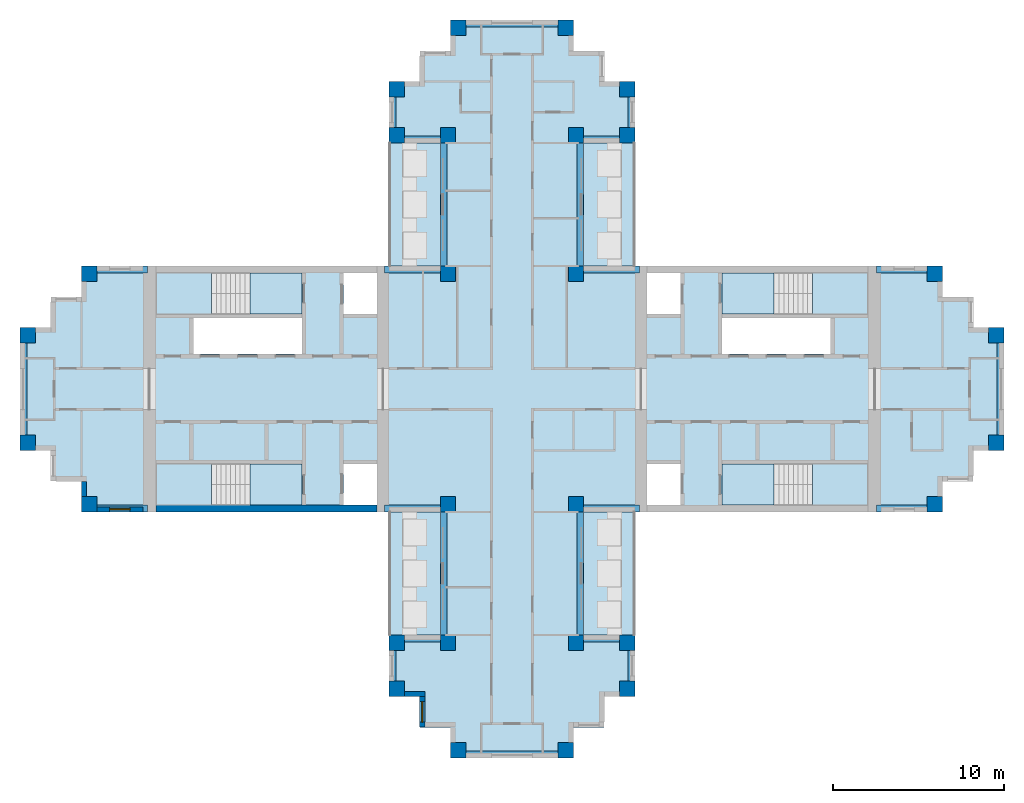
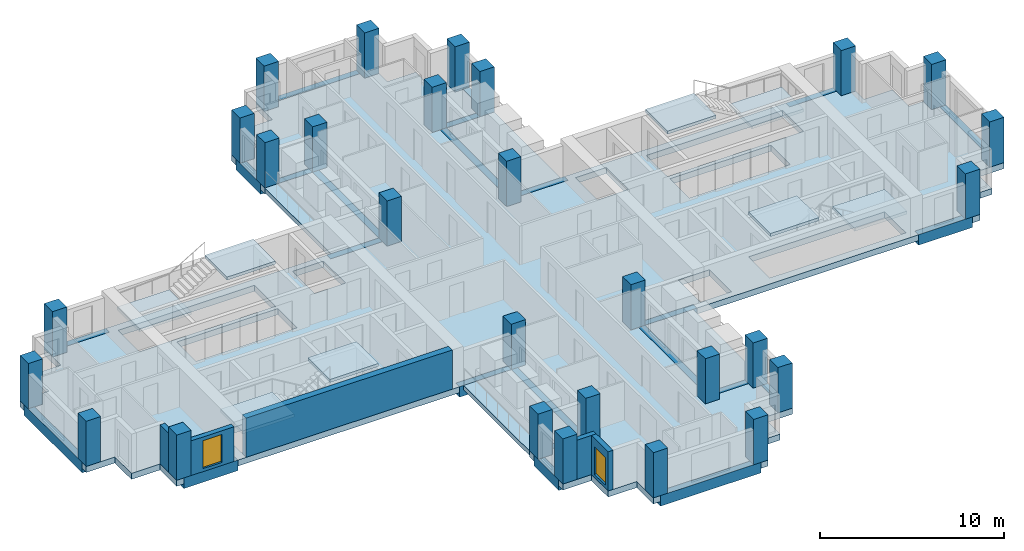
# One storey, part 1 of 10: 28 columns, 24 beams, 13 slabs, 5 walls, 2 windows, 2 openings, 4 elements without a shape of their own.
"""IFC4 building model written with IfcOpenShell, lengths in metres."""

from ifc_helpers import new_model, si_unit, direction, frame, frame_2d, origin, origin_2d, place, context, subcontext, project, spatial, polyline, rectangle, outline, extrude, material, layer, layer_set, material_profile, profile_set, type_object, element, fill, aggregate, save


model = new_model("IFC4")

# Units and contexts
model_context = context("Model", 3, precision=1e-05, world=origin(), true_north=direction((0.0, 1.0)))
body_context = subcontext(model_context, "Body", "Model", "MODEL_VIEW")
ifc_project = project(units=[si_unit("LENGTHUNIT", "METRE"), si_unit("AREAUNIT", "SQUARE_METRE"), si_unit("VOLUMEUNIT", "CUBIC_METRE"), si_unit("PLANEANGLEUNIT", "RADIAN"), si_unit("MASSUNIT", "GRAM", prefix="KILO")], contexts=[model_context])

# Site, building, storey
site_placement = place(None, origin())
site = spatial("IfcSite", under=ifc_project, at=site_placement, CompositionType="ELEMENT")
building_placement = place(site_placement, origin())
building = spatial("IfcBuilding", under=site, at=building_placement, Name="Fustian Cross Tower", CompositionType="ELEMENT")
storey_placement = place(building_placement, frame((0.0, 0.0, 207.89990234375)))
storey = spatial("IfcBuildingStorey", under=building, at=storey_placement, Name="L65", CompositionType="ELEMENT", Elevation=207.89990234375)

# Columns
ifc_material_1 = material(Name="Concrete C40/50", Category="concrete")
ifc_material_profile_1 = material_profile(ifc_material_1, rectangle(XDim=0.89990234375, YDim=0.89990234375, at=origin_2d()), Name="RC 900x900")
ifc_profile_set_1 = profile_set([ifc_material_profile_1], Name="Concrete C40/50")
column_type = type_object("IfcColumnType", Name="COLUMN RC 900x900 C40/50", PredefinedType="COLUMN", material=ifc_profile_set_1)
for number, where, z_axis, x_axis, name in (
    (1, (-28.35009765625, -3.14990234375, 0.0), (0.0, 0.0, 1.0), (1.0, 0.0, 0.0), "COLUMN 008"),
    (2, (-28.35009765625, 3.14990234375, 0.0), (0.0, 0.0, 1.0), (1.0, 0.0, 0.0), "COLUMN 009"),
    (3, (-24.75, -6.75, 0.0), (0.0, 0.0, 1.0), (1.0, 0.0, 0.0), "COLUMN 011"),
    (4, (-24.75, 6.75, 0.0), (0.0, 0.0, 1.0), (1.0, 0.0, 0.0), "COLUMN 012"),
    (5, (-6.75, -17.550048828125, 0.0), (0.0, 0.0, 1.0), (1.0, 0.0, 0.0), "COLUMN 017"),
    (6, (-6.75, -14.85009765625, 0.0), (0.0, 0.0, 1.0), (1.0, 0.0, 0.0), "COLUMN 018"),
    (7, (-6.75, 14.85009765625, 0.0), (0.0, 0.0, 1.0), (1.0, 0.0, 0.0), "COLUMN 019"),
    (8, (-6.75, 17.550048828125, 0.0), (0.0, 0.0, 1.0), (1.0, 0.0, 0.0), "COLUMN 020"),
    (9, (-3.75, -14.85009765625, 0.0), (0.0, 0.0, 1.0), (1.0, 0.0, 0.0), "COLUMN 025"),
    (10, (-3.75, -6.75, 0.0), (0.0, 0.0, 1.0), (1.0, 0.0, 0.0), "COLUMN 026"),
    (11, (-3.75, 6.75, 0.0), (0.0, 0.0, 1.0), (1.0, 0.0, 0.0), "COLUMN 027"),
    (12, (-3.75, 14.85009765625, 0.0), (0.0, 0.0, 1.0), (1.0, 0.0, 0.0), "COLUMN 028"),
    (13, (-3.14990234375, -21.14990234375, 0.0), (0.0, 0.0, 1.0), (1.0, 0.0, 0.0), "COLUMN 030"),
    (14, (-3.14990234375, 21.14990234375, 0.0), (0.0, 0.0, 1.0), (1.0, 0.0, 0.0), "COLUMN 031"),
    (15, (3.14990234375, -21.14990234375, 0.0), (0.0, 0.0, 1.0), (1.0, 0.0, 0.0), "COLUMN 034"),
    (16, (3.14990234375, 21.14990234375, 0.0), (0.0, 0.0, 1.0), (1.0, 0.0, 0.0), "COLUMN 035"),
    (17, (3.75, -14.85009765625, 0.0), (0.0, 0.0, 1.0), (1.0, 0.0, 0.0), "COLUMN 037"),
    (18, (3.75, -6.75, 0.0), (0.0, 0.0, 1.0), (1.0, 0.0, 0.0), "COLUMN 038"),
    (19, (3.75, 6.75, 0.0), (0.0, 0.0, 1.0), (1.0, 0.0, 0.0), "COLUMN 039"),
    (20, (3.75, 14.85009765625, 0.0), (0.0, 0.0, 1.0), (1.0, 0.0, 0.0), "COLUMN 040"),
    (21, (6.75, -17.550048828125, 0.0), (0.0, 0.0, 1.0), (1.0, 0.0, 0.0), "COLUMN 045"),
    (22, (6.75, -14.85009765625, 0.0), (0.0, 0.0, 1.0), (1.0, 0.0, 0.0), "COLUMN 046"),
    (23, (6.75, 14.85009765625, 0.0), (0.0, 0.0, 1.0), (1.0, 0.0, 0.0), "COLUMN 047"),
    (24, (6.75, 17.550048828125, 0.0), (0.0, 0.0, 1.0), (1.0, 0.0, 0.0), "COLUMN 048"),
    (25, (24.75, -6.75, 0.0), (0.0, 0.0, 1.0), (1.0, 0.0, 0.0), "COLUMN 053"),
    (26, (24.75, 6.75, 0.0), (0.0, 0.0, 1.0), (1.0, 0.0, 0.0), "COLUMN 054"),
    (27, (28.35009765625, -3.14990234375, 0.0), (0.0, 0.0, 1.0), (1.0, 0.0, 0.0), "COLUMN 056"),
    (28, (28.35009765625, 3.14990234375, 0.0), (0.0, 0.0, 1.0), (1.0, 0.0, 0.0), "COLUMN 057"),
):
    element("IfcColumn", number, at=place(storey_placement, frame(where, z_axis=z_axis, x_axis=x_axis)), inside=storey, type_object=column_type, Name=name, PredefinedType="COLUMN", context=body_context, shape_type="SweptSolid", body=[
        extrude(rectangle(XDim=0.89990234375, YDim=0.89990234375, at=origin_2d()), origin(), (0.0, 0.0, 1.0), 3.0),
    ])

# Beams
ifc_material_2 = material(Name="Concrete C50/60", Category="concrete")
ifc_material_profile_2 = material_profile(ifc_material_2, rectangle(XDim=0.39990234375, YDim=0.699951171875, at=origin_2d()), Name="RC 400x700")
ifc_profile_set_2 = profile_set([ifc_material_profile_2], Name="Concrete C50/60")
beam_type = type_object("IfcBeamType", Name="EDGE BEAM RC 400x700 C50/60", PredefinedType="SPANDREL", material=ifc_profile_set_2)
beam_1_placement = place(storey_placement, frame((21.35009765625, -7.0, -0.349853515625), z_axis=(1.0, 0.0, 0.0), x_axis=(0.0, 1.0, 0.0)))
element("IfcBeam", 29, at=beam_1_placement, inside=storey, type_object=beam_type, Name="EDGE BEAM L65-01", PredefinedType="SPANDREL", context=body_context, shape_type="SweptSolid", body=[
    extrude(rectangle(XDim=0.39990234375, YDim=0.699951171875, at=origin_2d()), origin(), (0.0, 0.0, 1.0), 3.39990234375),
])
beam_2_placement = place(storey_placement, frame((28.60009765625, -3.14990234375, -0.349853515625), z_axis=(0.0, 1.0, 0.0), x_axis=(-1.0, 0.0, 0.0)))
element("IfcBeam", 30, at=beam_2_placement, inside=storey, type_object=beam_type, Name="EDGE BEAM L65-02", PredefinedType="SPANDREL", context=body_context, shape_type="SweptSolid", body=[
    extrude(rectangle(XDim=0.39990234375, YDim=0.699951171875, at=origin_2d()), origin(), (0.0, 0.0, 1.0), 6.2998046875),
])
beam_3_placement = place(storey_placement, frame((24.75, 7.0, -0.349853515625), z_axis=(-1.0, 0.0, 0.0), x_axis=(0.0, -1.0, 0.0)))
element("IfcBeam", 31, at=beam_3_placement, inside=storey, type_object=beam_type, Name="EDGE BEAM L65-03", PredefinedType="SPANDREL", context=body_context, shape_type="SweptSolid", body=[
    extrude(rectangle(XDim=0.39990234375, YDim=0.699951171875, at=origin_2d()), origin(), (0.0, 0.0, 1.0), 3.39990234375),
])
beam_4_placement = place(storey_placement, frame((7.449951171875, 7.0, -0.349853515625), z_axis=(-1.0, 0.0, 0.0), x_axis=(0.0, -1.0, 0.0)))
element("IfcBeam", 32, at=beam_4_placement, inside=storey, type_object=beam_type, Name="EDGE BEAM L65-04", PredefinedType="SPANDREL", context=body_context, shape_type="SweptSolid", body=[
    extrude(rectangle(XDim=0.39990234375, YDim=0.699951171875, at=origin_2d()), origin(), (0.0, 0.0, 1.0), 3.699951171875),
])
beam_5_placement = place(storey_placement, frame((4.0, 6.75, -0.349853515625), z_axis=(0.0, 1.0, 0.0), x_axis=(-1.0, 0.0, 0.0)))
element("IfcBeam", 33, at=beam_5_placement, inside=storey, type_object=beam_type, Name="EDGE BEAM L65-05", PredefinedType="SPANDREL", context=body_context, shape_type="SweptSolid", body=[
    extrude(rectangle(XDim=0.39990234375, YDim=0.699951171875, at=origin_2d()), origin(), (0.0, 0.0, 1.0), 8.10009765625),
])
beam_6_placement = place(storey_placement, frame((3.75, 14.60009765625, -0.349853515625), z_axis=(1.0, 0.0, 0.0), x_axis=(0.0, 1.0, 0.0)))
element("IfcBeam", 34, at=beam_6_placement, inside=storey, type_object=beam_type, Name="EDGE BEAM L65-06", PredefinedType="SPANDREL", context=body_context, shape_type="SweptSolid", body=[
    extrude(rectangle(XDim=0.39990234375, YDim=0.699951171875, at=origin_2d()), origin(), (0.0, 0.0, 1.0), 3.0),
])
beam_7_placement = place(storey_placement, frame((7.0, 14.85009765625, -0.349853515625), z_axis=(0.0, 1.0, 0.0), x_axis=(-1.0, 0.0, 0.0)))
element("IfcBeam", 35, at=beam_7_placement, inside=storey, type_object=beam_type, Name="EDGE BEAM L65-07", PredefinedType="SPANDREL", context=body_context, shape_type="SweptSolid", body=[
    extrude(rectangle(XDim=0.39990234375, YDim=0.699951171875, at=origin_2d()), origin(), (0.0, 0.0, 1.0), 2.699951171875),
])
beam_8_placement = place(storey_placement, frame((3.14990234375, 21.39990234375, -0.349853515625), z_axis=(-1.0, 0.0, 0.0), x_axis=(0.0, -1.0, 0.0)))
element("IfcBeam", 36, at=beam_8_placement, inside=storey, type_object=beam_type, Name="EDGE BEAM L65-08", PredefinedType="SPANDREL", context=body_context, shape_type="SweptSolid", body=[
    extrude(rectangle(XDim=0.39990234375, YDim=0.699951171875, at=origin_2d()), origin(), (0.0, 0.0, 1.0), 6.2998046875),
])
beam_9_placement = place(storey_placement, frame((-7.0, 17.550048828125, -0.349853515625), z_axis=(0.0, -1.0, 0.0), x_axis=(1.0, 0.0, 0.0)))
element("IfcBeam", 37, at=beam_9_placement, inside=storey, type_object=beam_type, Name="EDGE BEAM L65-09", PredefinedType="SPANDREL", context=body_context, shape_type="SweptSolid", body=[
    extrude(rectangle(XDim=0.39990234375, YDim=0.699951171875, at=origin_2d()), origin(), (0.0, 0.0, 1.0), 2.699951171875),
])
beam_10_placement = place(storey_placement, frame((-6.75, 14.60009765625, -0.349853515625), z_axis=(1.0, 0.0, 0.0), x_axis=(0.0, 1.0, 0.0)))
element("IfcBeam", 38, at=beam_10_placement, inside=storey, type_object=beam_type, Name="EDGE BEAM L65-10", PredefinedType="SPANDREL", context=body_context, shape_type="SweptSolid", body=[
    extrude(rectangle(XDim=0.39990234375, YDim=0.699951171875, at=origin_2d()), origin(), (0.0, 0.0, 1.0), 3.0),
])
beam_11_placement = place(storey_placement, frame((-4.0, 14.85009765625, -0.349853515625), z_axis=(0.0, -1.0, 0.0), x_axis=(1.0, 0.0, 0.0)))
element("IfcBeam", 39, at=beam_11_placement, inside=storey, type_object=beam_type, Name="EDGE BEAM L65-11", PredefinedType="SPANDREL", context=body_context, shape_type="SweptSolid", body=[
    extrude(rectangle(XDim=0.39990234375, YDim=0.699951171875, at=origin_2d()), origin(), (0.0, 0.0, 1.0), 8.10009765625),
])
beam_12_placement = place(storey_placement, frame((-3.75, 7.0, -0.349853515625), z_axis=(-1.0, 0.0, 0.0), x_axis=(0.0, -1.0, 0.0)))
element("IfcBeam", 40, at=beam_12_placement, inside=storey, type_object=beam_type, Name="EDGE BEAM L65-12", PredefinedType="SPANDREL", context=body_context, shape_type="SweptSolid", body=[
    extrude(rectangle(XDim=0.39990234375, YDim=0.699951171875, at=origin_2d()), origin(), (0.0, 0.0, 1.0), 3.699951171875),
])
beam_13_placement = place(storey_placement, frame((-21.35009765625, 7.0, -0.349853515625), z_axis=(-1.0, 0.0, 0.0), x_axis=(0.0, -1.0, 0.0)))
element("IfcBeam", 41, at=beam_13_placement, inside=storey, type_object=beam_type, Name="EDGE BEAM L65-13", PredefinedType="SPANDREL", context=body_context, shape_type="SweptSolid", body=[
    extrude(rectangle(XDim=0.39990234375, YDim=0.699951171875, at=origin_2d()), origin(), (0.0, 0.0, 1.0), 3.39990234375),
])
beam_14_placement = place(storey_placement, frame((-28.60009765625, 3.14990234375, -0.349853515625), z_axis=(0.0, -1.0, 0.0), x_axis=(1.0, 0.0, 0.0)))
element("IfcBeam", 42, at=beam_14_placement, inside=storey, type_object=beam_type, Name="EDGE BEAM L65-14", PredefinedType="SPANDREL", context=body_context, shape_type="SweptSolid", body=[
    extrude(rectangle(XDim=0.39990234375, YDim=0.699951171875, at=origin_2d()), origin(), (0.0, 0.0, 1.0), 6.2998046875),
])
beam_15_placement = place(storey_placement, frame((-24.75, -7.0, -0.349853515625), z_axis=(1.0, 0.0, 0.0), x_axis=(0.0, 1.0, 0.0)))
element("IfcBeam", 43, at=beam_15_placement, inside=storey, type_object=beam_type, Name="EDGE BEAM L65-15", PredefinedType="SPANDREL", context=body_context, shape_type="SweptSolid", body=[
    extrude(rectangle(XDim=0.39990234375, YDim=0.699951171875, at=origin_2d()), origin(), (0.0, 0.0, 1.0), 3.39990234375),
])
beam_16_placement = place(storey_placement, frame((-7.449951171875, -7.0, -0.349853515625), z_axis=(1.0, 0.0, 0.0), x_axis=(0.0, 1.0, 0.0)))
element("IfcBeam", 44, at=beam_16_placement, inside=storey, type_object=beam_type, Name="EDGE BEAM L65-16", PredefinedType="SPANDREL", context=body_context, shape_type="SweptSolid", body=[
    extrude(rectangle(XDim=0.39990234375, YDim=0.699951171875, at=origin_2d()), origin(), (0.0, 0.0, 1.0), 3.699951171875),
])
beam_17_placement = place(storey_placement, frame((-4.0, -6.75, -0.349853515625), z_axis=(0.0, -1.0, 0.0), x_axis=(1.0, 0.0, 0.0)))
element("IfcBeam", 45, at=beam_17_placement, inside=storey, type_object=beam_type, Name="EDGE BEAM L65-17", PredefinedType="SPANDREL", context=body_context, shape_type="SweptSolid", body=[
    extrude(rectangle(XDim=0.39990234375, YDim=0.699951171875, at=origin_2d()), origin(), (0.0, 0.0, 1.0), 8.10009765625),
])
beam_18_placement = place(storey_placement, frame((-3.75, -14.60009765625, -0.349853515625), z_axis=(-1.0, 0.0, 0.0), x_axis=(0.0, -1.0, 0.0)))
element("IfcBeam", 46, at=beam_18_placement, inside=storey, type_object=beam_type, Name="EDGE BEAM L65-18", PredefinedType="SPANDREL", context=body_context, shape_type="SweptSolid", body=[
    extrude(rectangle(XDim=0.39990234375, YDim=0.699951171875, at=origin_2d()), origin(), (0.0, 0.0, 1.0), 3.0),
])
beam_19_placement = place(storey_placement, frame((-7.0, -14.85009765625, -0.349853515625), z_axis=(0.0, -1.0, 0.0), x_axis=(1.0, 0.0, 0.0)))
element("IfcBeam", 47, at=beam_19_placement, inside=storey, type_object=beam_type, Name="EDGE BEAM L65-19", PredefinedType="SPANDREL", context=body_context, shape_type="SweptSolid", body=[
    extrude(rectangle(XDim=0.39990234375, YDim=0.699951171875, at=origin_2d()), origin(), (0.0, 0.0, 1.0), 2.699951171875),
])
beam_20_placement = place(storey_placement, frame((-3.14990234375, -21.39990234375, -0.349853515625), z_axis=(1.0, 0.0, 0.0), x_axis=(0.0, 1.0, 0.0)))
element("IfcBeam", 48, at=beam_20_placement, inside=storey, type_object=beam_type, Name="EDGE BEAM L65-20", PredefinedType="SPANDREL", context=body_context, shape_type="SweptSolid", body=[
    extrude(rectangle(XDim=0.39990234375, YDim=0.699951171875, at=origin_2d()), origin(), (0.0, 0.0, 1.0), 6.2998046875),
])
beam_21_placement = place(storey_placement, frame((7.0, -17.550048828125, -0.349853515625), z_axis=(0.0, 1.0, 0.0), x_axis=(-1.0, 0.0, 0.0)))
element("IfcBeam", 49, at=beam_21_placement, inside=storey, type_object=beam_type, Name="EDGE BEAM L65-21", PredefinedType="SPANDREL", context=body_context, shape_type="SweptSolid", body=[
    extrude(rectangle(XDim=0.39990234375, YDim=0.699951171875, at=origin_2d()), origin(), (0.0, 0.0, 1.0), 2.699951171875),
])
beam_22_placement = place(storey_placement, frame((6.75, -14.60009765625, -0.349853515625), z_axis=(-1.0, 0.0, 0.0), x_axis=(0.0, -1.0, 0.0)))
element("IfcBeam", 50, at=beam_22_placement, inside=storey, type_object=beam_type, Name="EDGE BEAM L65-22", PredefinedType="SPANDREL", context=body_context, shape_type="SweptSolid", body=[
    extrude(rectangle(XDim=0.39990234375, YDim=0.699951171875, at=origin_2d()), origin(), (0.0, 0.0, 1.0), 3.0),
])
beam_23_placement = place(storey_placement, frame((4.0, -14.85009765625, -0.349853515625), z_axis=(0.0, 1.0, 0.0), x_axis=(-1.0, 0.0, 0.0)))
element("IfcBeam", 51, at=beam_23_placement, inside=storey, type_object=beam_type, Name="EDGE BEAM L65-23", PredefinedType="SPANDREL", context=body_context, shape_type="SweptSolid", body=[
    extrude(rectangle(XDim=0.39990234375, YDim=0.699951171875, at=origin_2d()), origin(), (0.0, 0.0, 1.0), 8.10009765625),
])
beam_24_placement = place(storey_placement, frame((3.75, -7.0, -0.349853515625), z_axis=(1.0, 0.0, 0.0), x_axis=(0.0, 1.0, 0.0)))
element("IfcBeam", 52, at=beam_24_placement, inside=storey, type_object=beam_type, Name="EDGE BEAM L65-24", PredefinedType="SPANDREL", context=body_context, shape_type="SweptSolid", body=[
    extrude(rectangle(XDim=0.39990234375, YDim=0.699951171875, at=origin_2d()), origin(), (0.0, 0.0, 1.0), 3.699951171875),
])

# Slabs
ifc_material_3 = material(Name="Concrete C40/50", Category="concrete")
ifc_layer_1 = layer(ifc_material_3, 0.300048828125)
ifc_layer_set_1 = layer_set([ifc_layer_1], Name="Concrete C40/50")
slab_type_1 = type_object("IfcSlabType", Name="BS1 BALCONY SLAB 300", PredefinedType="FLOOR", material=ifc_layer_set_1)
slab_1_placement = place(storey_placement, frame((0.0, 0.0, -0.2998046875)))
element("IfcSlab", 53, at=slab_1_placement, inside=storey, type_object=slab_type_1, Name="Balcony slab", PredefinedType="FLOOR", context=body_context, shape_type="SweptSolid", body=[
    extrude(outline(polyline([(4.199951171875, 7.199951171875), (7.199951171875, 7.199951171875), (7.199951171875, 14.39990234375), (4.199951171875, 14.39990234375), (4.199951171875, 7.199951171875)])), origin(), (0.0, 0.0, 1.0), 0.2998046875),
])
slab_2_placement = place(storey_placement, frame((0.0, 0.0, -0.2998046875)))
element("IfcSlab", 54, at=slab_2_placement, inside=storey, type_object=slab_type_1, Name="Balcony slab", PredefinedType="FLOOR", context=body_context, shape_type="SweptSolid", body=[
    extrude(outline(polyline([(-7.199951171875, 7.199951171875), (-4.199951171875, 7.199951171875), (-4.199951171875, 14.39990234375), (-7.199951171875, 14.39990234375), (-7.199951171875, 7.199951171875)])), origin(), (0.0, 0.0, 1.0), 0.2998046875),
])
slab_3_placement = place(storey_placement, frame((0.0, 0.0, -0.2998046875)))
element("IfcSlab", 55, at=slab_3_placement, inside=storey, type_object=slab_type_1, Name="Balcony slab", PredefinedType="FLOOR", context=body_context, shape_type="SweptSolid", body=[
    extrude(outline(polyline([(4.199951171875, -14.39990234375), (7.199951171875, -14.39990234375), (7.199951171875, -7.199951171875), (4.199951171875, -7.199951171875), (4.199951171875, -14.39990234375)])), origin(), (0.0, 0.0, 1.0), 0.2998046875),
])
slab_4_placement = place(storey_placement, frame((0.0, 0.0, -0.2998046875)))
element("IfcSlab", 56, at=slab_4_placement, inside=storey, type_object=slab_type_1, Name="Balcony slab", PredefinedType="FLOOR", context=body_context, shape_type="SweptSolid", body=[
    extrude(outline(polyline([(-7.199951171875, -14.39990234375), (-4.199951171875, -14.39990234375), (-4.199951171875, -7.199951171875), (-7.199951171875, -7.199951171875), (-7.199951171875, -14.39990234375)])), origin(), (0.0, 0.0, 1.0), 0.2998046875),
])
ifc_material_4 = material(Name="Concrete C40/50", Category="concrete")
ifc_layer_2 = layer(ifc_material_4, 0.39990234375)
ifc_layer_set_2 = layer_set([ifc_layer_2], Name="Concrete C40/50")
slab_type_2 = type_object("IfcSlabType", Name="FLAT SLAB 400", PredefinedType="FLOOR", material=ifc_layer_set_2)
slab_5_placement = place(storey_placement, frame((0.0, 0.0, -0.39990234375)))
element("IfcSlab", 57, at=slab_5_placement, inside=storey, type_object=slab_type_2, Name="FLOOR SLAB L65-1", PredefinedType="FLOOR", context=body_context, shape_type="SweptSolid", body=[
    extrude(outline(polyline([(-3.60009765625, -19.800048828125), (-5.39990234375, -19.800048828125), (-5.39990234375, -18.0), (-7.199951171875, -18.0), (-7.199951171875, -14.39990234375), (-4.199951171875, -14.39990234375), (-4.199951171875, -7.199951171875), (-25.199951171875, -7.199951171875), (-25.199951171875, -5.39990234375), (-27.0, -5.39990234375), (-27.0, -3.60009765625), (-28.800048828125, -3.60009765625), (-28.800048828125, 3.60009765625), (-27.0, 3.60009765625), (-27.0, 5.39990234375), (-25.199951171875, 5.39990234375), (-25.199951171875, 7.199951171875), (-4.199951171875, 7.199951171875), (-4.199951171875, 14.39990234375), (-7.199951171875, 14.39990234375), (-7.199951171875, 18.0), (-5.39990234375, 18.0), (-5.39990234375, 19.800048828125), (-3.60009765625, 19.800048828125), (-3.60009765625, 21.60009765625), (3.60009765625, 21.60009765625), (3.60009765625, 19.800048828125), (5.39990234375, 19.800048828125), (5.39990234375, 18.0), (7.199951171875, 18.0), (7.199951171875, 14.39990234375), (4.199951171875, 14.39990234375), (4.199951171875, 7.199951171875), (25.199951171875, 7.199951171875), (25.199951171875, 5.39990234375), (27.0, 5.39990234375), (27.0, 3.60009765625), (28.800048828125, 3.60009765625), (28.800048828125, -3.60009765625), (27.0, -3.60009765625), (27.0, -5.39990234375), (25.199951171875, -5.39990234375), (25.199951171875, -7.199951171875), (4.199951171875, -7.199951171875), (4.199951171875, -14.39990234375), (7.199951171875, -14.39990234375), (7.199951171875, -18.0), (5.39990234375, -18.0), (5.39990234375, -19.800048828125), (3.60009765625, -19.800048828125), (3.60009765625, -21.60009765625), (-3.60009765625, -21.60009765625), (-3.60009765625, -19.800048828125)]), holes=[polyline([(7.89990234375, 6.800048828125), (7.89990234375, 4.39990234375), (9.85009765625, 4.39990234375), (9.85009765625, 6.800048828125), (7.89990234375, 6.800048828125)]), polyline([(9.85009765625, -4.39990234375), (7.89990234375, -4.39990234375), (7.89990234375, -6.800048828125), (9.85009765625, -6.800048828125), (9.85009765625, -4.39990234375)]), polyline([(-7.89990234375, 4.39990234375), (-7.89990234375, 6.800048828125), (-9.85009765625, 6.800048828125), (-9.85009765625, 4.39990234375), (-7.89990234375, 4.39990234375)]), polyline([(-9.85009765625, -6.800048828125), (-7.89990234375, -6.800048828125), (-7.89990234375, -4.39990234375), (-9.85009765625, -4.39990234375), (-9.85009765625, -6.800048828125)]), polyline([(12.300048828125, 4.14990234375), (12.300048828125, 2.050048828125), (18.64990234375, 2.050048828125), (18.64990234375, 4.14990234375), (12.300048828125, 4.14990234375)]), polyline([(-12.300048828125, 4.14990234375), (-18.64990234375, 4.14990234375), (-18.64990234375, 2.050048828125), (-12.300048828125, 2.050048828125), (-12.300048828125, 4.14990234375)]), polyline([(20.85009765625, 4.39990234375), (20.85009765625, 6.699951171875), (12.300048828125, 6.699951171875), (12.300048828125, 4.39990234375), (20.85009765625, 4.39990234375)]), polyline([(12.300048828125, -6.699951171875), (20.85009765625, -6.699951171875), (20.85009765625, -4.39990234375), (12.300048828125, -4.39990234375), (12.300048828125, -6.699951171875)]), polyline([(-20.85009765625, 6.699951171875), (-20.85009765625, 4.39990234375), (-12.300048828125, 4.39990234375), (-12.300048828125, 6.699951171875), (-20.85009765625, 6.699951171875)]), polyline([(-12.300048828125, -4.39990234375), (-20.85009765625, -4.39990234375), (-20.85009765625, -6.699951171875), (-12.300048828125, -6.699951171875), (-12.300048828125, -4.39990234375)])]), origin(), (0.0, 0.0, 1.0), 0.39990234375),
])

# Stair, slabs
ifc_material_5 = material(Name="Concrete C50/60", Category="concrete")
stair_type = type_object("IfcStairType", Name="STAIR 1200 HALF TURN", PredefinedType="HALF_TURN_STAIR", material=ifc_material_5)
stair_1_placement = place(storey_placement, origin())
stair_1 = element("IfcStair", 58, at=stair_1_placement, inside=storey, type_object=stair_type, Name="Stair ST1", PredefinedType="HALF_TURN_STAIR")
ifc_material_6 = material(Name="Concrete C50/60", Category="concrete")
ifc_layer_3 = layer(ifc_material_6, 0.199951171875)
ifc_layer_set_3 = layer_set([ifc_layer_3], Name="Concrete C50/60")
slab_type_3 = type_object("IfcSlabType", Name="STAIR LANDING", PredefinedType="LANDING", material=ifc_layer_set_3)
slab_6_placement = place(storey_placement, frame((0.0, 0.0, 1.300048828125)))
slab_6 = element("IfcSlab", 59, at=slab_6_placement, type_object=slab_type_3, Name="ST1 landing 1", PredefinedType="LANDING", context=body_context, shape_type="SweptSolid", body=[
    extrude(outline(polyline([(17.590087890625, 4.39990234375), (20.85009765625, 4.39990234375), (20.85009765625, 6.800048828125), (17.590087890625, 6.800048828125), (17.590087890625, 4.39990234375)])), origin(), (0.0, 0.0, 1.0), 0.199951171875),
])
slab_7_placement = place(storey_placement, frame((0.0, 0.0, 2.800048828125)))
slab_7 = element("IfcSlab", 60, at=slab_7_placement, type_object=slab_type_3, Name="ST1 landing 2", PredefinedType="LANDING", context=body_context, shape_type="SweptSolid", body=[
    extrude(outline(polyline([(12.300048828125, 4.39990234375), (15.35009765625, 4.39990234375), (15.35009765625, 6.800048828125), (12.300048828125, 6.800048828125), (12.300048828125, 4.39990234375)])), origin(), (0.0, 0.0, 1.0), 0.199951171875),
])
aggregate(stair_1, [slab_6, slab_7])

stair_2_placement = place(storey_placement, origin())
stair_2 = element("IfcStair", 61, at=stair_2_placement, inside=storey, type_object=stair_type, Name="Stair ST2", PredefinedType="HALF_TURN_STAIR")
slab_8_placement = place(storey_placement, frame((0.0, 0.0, 1.300048828125)))
slab_8 = element("IfcSlab", 62, at=slab_8_placement, type_object=slab_type_3, Name="ST2 landing 1", PredefinedType="LANDING", context=body_context, shape_type="SweptSolid", body=[
    extrude(outline(polyline([(17.590087890625, -4.39990234375), (20.85009765625, -4.39990234375), (20.85009765625, -6.800048828125), (17.590087890625, -6.800048828125), (17.590087890625, -4.39990234375)])), origin(), (0.0, 0.0, 1.0), 0.199951171875),
])
slab_9_placement = place(storey_placement, frame((0.0, 0.0, 2.800048828125)))
slab_9 = element("IfcSlab", 63, at=slab_9_placement, type_object=slab_type_3, Name="ST2 landing 2", PredefinedType="LANDING", context=body_context, shape_type="SweptSolid", body=[
    extrude(outline(polyline([(12.300048828125, -4.39990234375), (15.35009765625, -4.39990234375), (15.35009765625, -6.800048828125), (12.300048828125, -6.800048828125), (12.300048828125, -4.39990234375)])), origin(), (0.0, 0.0, 1.0), 0.199951171875),
])
aggregate(stair_2, [slab_8, slab_9])

stair_3_placement = place(storey_placement, origin())
stair_3 = element("IfcStair", 64, at=stair_3_placement, inside=storey, type_object=stair_type, Name="Stair ST3", PredefinedType="HALF_TURN_STAIR")
slab_10_placement = place(storey_placement, frame((0.0, 0.0, 1.300048828125)))
slab_10 = element("IfcSlab", 65, at=slab_10_placement, type_object=slab_type_3, Name="ST3 landing 1", PredefinedType="LANDING", context=body_context, shape_type="SweptSolid", body=[
    extrude(outline(polyline([(-17.590087890625, 4.39990234375), (-20.85009765625, 4.39990234375), (-20.85009765625, 6.800048828125), (-17.590087890625, 6.800048828125), (-17.590087890625, 4.39990234375)])), origin(), (0.0, 0.0, 1.0), 0.199951171875),
])
slab_11_placement = place(storey_placement, frame((0.0, 0.0, 2.800048828125)))
slab_11 = element("IfcSlab", 66, at=slab_11_placement, type_object=slab_type_3, Name="ST3 landing 2", PredefinedType="LANDING", context=body_context, shape_type="SweptSolid", body=[
    extrude(outline(polyline([(-12.300048828125, 4.39990234375), (-15.35009765625, 4.39990234375), (-15.35009765625, 6.800048828125), (-12.300048828125, 6.800048828125), (-12.300048828125, 4.39990234375)])), origin(), (0.0, 0.0, 1.0), 0.199951171875),
])
aggregate(stair_3, [slab_10, slab_11])

stair_4_placement = place(storey_placement, origin())
stair_4 = element("IfcStair", 67, at=stair_4_placement, inside=storey, type_object=stair_type, Name="Stair ST4", PredefinedType="HALF_TURN_STAIR")
slab_12_placement = place(storey_placement, frame((0.0, 0.0, 1.300048828125)))
slab_12 = element("IfcSlab", 68, at=slab_12_placement, type_object=slab_type_3, Name="ST4 landing 1", PredefinedType="LANDING", context=body_context, shape_type="SweptSolid", body=[
    extrude(outline(polyline([(-17.590087890625, -4.39990234375), (-20.85009765625, -4.39990234375), (-20.85009765625, -6.800048828125), (-17.590087890625, -6.800048828125), (-17.590087890625, -4.39990234375)])), origin(), (0.0, 0.0, 1.0), 0.199951171875),
])
slab_13_placement = place(storey_placement, frame((0.0, 0.0, 2.800048828125)))
slab_13 = element("IfcSlab", 69, at=slab_13_placement, type_object=slab_type_3, Name="ST4 landing 2", PredefinedType="LANDING", context=body_context, shape_type="SweptSolid", body=[
    extrude(outline(polyline([(-12.300048828125, -4.39990234375), (-15.35009765625, -4.39990234375), (-15.35009765625, -6.800048828125), (-12.300048828125, -6.800048828125), (-12.300048828125, -4.39990234375)])), origin(), (0.0, 0.0, 1.0), 0.199951171875),
])
aggregate(stair_4, [slab_12, slab_13])

# Walls
ifc_material_7 = material(Name="Concrete C50/60", Category="concrete")
ifc_layer_4 = layer(ifc_material_7, 0.39990234375)
ifc_layer_set_4 = layer_set([ifc_layer_4], Name="Concrete C50/60")
wall_type_1 = type_object("IfcWallType", Name="CORE FACADE WALL 400 C50/60", PredefinedType="SHEAR", material=ifc_layer_set_4)
wall_1_placement = place(storey_placement, frame((-7.89990234375, -7.0, 0.0), z_axis=(0.0, 0.0, 1.0), x_axis=(-1.0, 0.0, 0.0)))
element("IfcWall", 70, at=wall_1_placement, inside=storey, type_object=wall_type_1, Name="Core facade wall", PredefinedType="SHEAR", context=body_context, shape_type="SweptSolid", body=[
    extrude(rectangle(XDim=12.9501953125, YDim=0.39990234375, at=frame_2d((6.47509765625, 0.0))), origin(), (0.0, 0.0, 1.0), 2.60009765625),
])
ifc_material_8 = material(Name="Dark aluminium cladding on insulated backing wall", Category="aluminium")
ifc_layer_5 = layer(ifc_material_8, 0.300048828125)
ifc_layer_set_5 = layer_set([ifc_layer_5], Name="Dark aluminium cladding on insulated backing wall")
wall_type_2 = type_object("IfcWallType", Name="XW1 EXTERNAL WALL 300", PredefinedType="SOLIDWALL", material=ifc_layer_set_5)
wall_2_placement = place(storey_placement, frame((-25.050048828125, -5.39990234375, 0.0), z_axis=(0.0, 0.0, 1.0), x_axis=(0.0, -1.0, 0.0)))
element("IfcWall", 71, at=wall_2_placement, inside=storey, type_object=wall_type_2, Name="External wall", PredefinedType="SOLIDWALL", context=body_context, shape_type="SweptSolid", body=[
    extrude(rectangle(XDim=0.900146484375, YDim=0.300048828125, at=frame_2d((0.4501953125, 0.0))), origin(), (0.0, 0.0, 1.0), 2.60009765625),
])

# Wall, opening, window
wall_3_placement = place(storey_placement, frame((-24.300048828125, -7.050048828125, 0.0), z_axis=(0.0, 0.0, 1.0), x_axis=(1.0, 0.0, 0.0)))
wall_3 = element("IfcWall", 72, at=wall_3_placement, inside=storey, type_object=wall_type_2, Name="External wall", PredefinedType="SOLIDWALL", context=body_context, shape_type="SweptSolid", body=[
    extrude(rectangle(XDim=2.699951171875, YDim=0.300048828125, at=frame_2d((1.35009765625, 0.0))), origin(), (0.0, 0.0, 1.0), 2.300048828125),
])
opening_1_placement = place(wall_3_placement, frame((0.75, 0.0, 0.199951171875)))
opening_1 = element("IfcOpeningElement", 73, at=opening_1_placement, cuts=wall_3, Name="Opening WN3", PredefinedType="OPENING", context=body_context, shape_type="SweptSolid", body=[
    extrude(rectangle(XDim=1.199951171875, YDim=1.85009765625, at=frame_2d((0.60009765625, 0.925048828125))), frame((0.0, 0.159912109375, 0.0), z_axis=(0.0, -1.0, 0.0), x_axis=(1.0, 0.0, 0.0)), (0.0, 0.0, 1.0), 0.320068359375),
])
ifc_material_9 = material(Name="Dark anodised aluminium and double glazing", Category="aluminium")
window_type = type_object("IfcWindowType", Name="WN3 WINDOW 1200X1850", PartitioningType="SINGLE_PANEL", PredefinedType="WINDOW", material=ifc_material_9)
window_1_placement = place(opening_1_placement, origin())
window_1 = element("IfcWindow", 74, at=window_1_placement, inside=storey, type_object=window_type, Name="Window", OverallHeight=1.85009765625, OverallWidth=1.199951171875, PartitioningType="SINGLE_PANEL", PredefinedType="WINDOW", context=body_context, shape_type="SweptSolid", body=[
    extrude(rectangle(XDim=1.199951171875, YDim=1.85009765625, at=frame_2d((0.60009765625, 0.925048828125))), frame((0.0, 0.030029296875, 0.0), z_axis=(0.0, -1.0, 0.0), x_axis=(1.0, 0.0, 0.0)), (0.0, 0.0, 1.0), 0.06005859375),
])
fill(opening_1, window_1)

# Wall
wall_4_placement = place(storey_placement, frame((-6.300048828125, -17.85009765625, 0.0), z_axis=(0.0, 0.0, 1.0), x_axis=(1.0, 0.0, 0.0)))
element("IfcWall", 75, at=wall_4_placement, inside=storey, type_object=wall_type_2, Name="External wall", PredefinedType="SOLIDWALL", context=body_context, shape_type="SweptSolid", body=[
    extrude(rectangle(XDim=1.199951171875, YDim=0.300048828125, at=frame_2d((0.60009765625, 0.0))), origin(), (0.0, 0.0, 1.0), 2.60009765625),
])

# Wall, opening, window
wall_5_placement = place(storey_placement, frame((-5.25, -18.0, 0.0), z_axis=(0.0, 0.0, 1.0), x_axis=(0.0, -1.0, 0.0)))
wall_5 = element("IfcWall", 76, at=wall_5_placement, inside=storey, type_object=wall_type_2, Name="External wall", PredefinedType="SOLIDWALL", context=body_context, shape_type="SweptSolid", body=[
    extrude(rectangle(XDim=1.800048828125, YDim=0.300048828125, at=frame_2d((0.89990234375, 0.0))), origin(), (0.0, 0.0, 1.0), 2.60009765625),
])
opening_2_placement = place(wall_5_placement, frame((0.300048828125, 0.0, 0.199951171875)))
opening_2 = element("IfcOpeningElement", 77, at=opening_2_placement, cuts=wall_5, Name="Opening WN3", PredefinedType="OPENING", context=body_context, shape_type="SweptSolid", body=[
    extrude(rectangle(XDim=1.199951171875, YDim=1.85009765625, at=frame_2d((0.60009765625, 0.925048828125))), frame((0.0, 0.159912109375, 0.0), z_axis=(0.0, -1.0, 0.0), x_axis=(1.0, 0.0, 0.0)), (0.0, 0.0, 1.0), 0.320068359375),
])
window_2_placement = place(opening_2_placement, origin())
window_2 = element("IfcWindow", 78, at=window_2_placement, inside=storey, type_object=window_type, Name="Window", OverallHeight=1.85009765625, OverallWidth=1.199951171875, PartitioningType="SINGLE_PANEL", PredefinedType="WINDOW", context=body_context, shape_type="SweptSolid", body=[
    extrude(rectangle(XDim=1.199951171875, YDim=1.85009765625, at=frame_2d((0.60009765625, 0.925048828125))), frame((0.0, 0.030029296875, 0.0), z_axis=(0.0, -1.0, 0.0), x_axis=(1.0, 0.0, 0.0)), (0.0, 0.0, 1.0), 0.06005859375),
])
fill(opening_2, window_2)

save(model, "model.ifc")
